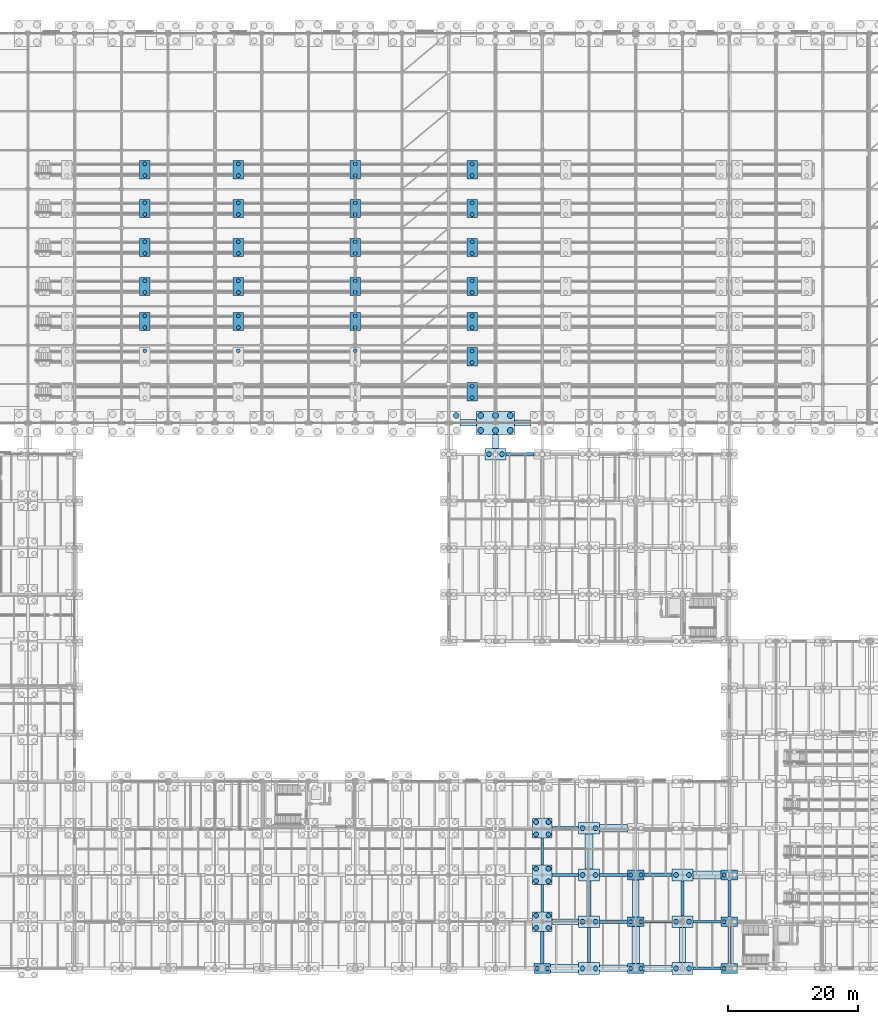
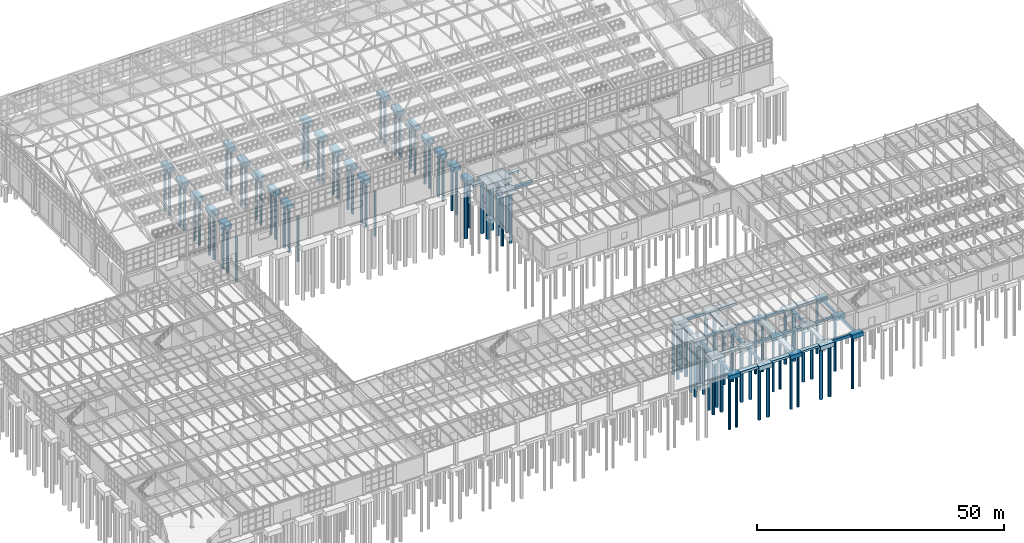
# One storey, part 9 of 293: 93 piles, 71 footings.
"""IFC4 building model written with IfcOpenShell, lengths in metres."""

from ifc_helpers import new_model, si_unit, direction, frame, origin, origin_2d, place, context, subcontext, project, spatial, rectangle, circle, extrude, material, material_profile, profile_set, type_object, element, save


model = new_model("IFC4")

# Units and contexts
model_context = context("Model", 3, precision=1e-05, world=origin(), true_north=direction((0.0, 1.0)))
body_context = subcontext(model_context, "Body", "Model", "MODEL_VIEW")
ifc_project = project(units=[si_unit("LENGTHUNIT", "METRE"), si_unit("AREAUNIT", "SQUARE_METRE"), si_unit("VOLUMEUNIT", "CUBIC_METRE"), si_unit("PLANEANGLEUNIT", "RADIAN"), si_unit("MASSUNIT", "GRAM", prefix="KILO")], contexts=[model_context])

# Site, building, storey
site_placement = place(None, origin())
site = spatial("IfcSite", under=ifc_project, at=site_placement, CompositionType="ELEMENT")
building_placement = place(site_placement, origin())
building = spatial("IfcBuilding", under=site, at=building_placement, Name="Kemerveld Promenade Tramway Depot", CompositionType="ELEMENT")
storey_placement = place(building_placement, origin())
storey = spatial("IfcBuildingStorey", under=building, at=storey_placement, Name="L00", CompositionType="ELEMENT", Elevation=0.0)

# Footings
ifc_material = material(Name="Concrete C35/45", Category="concrete")
footing_type_1 = type_object("IfcFootingType", Name="FT-GB01", PredefinedType="FOOTING_BEAM", material=ifc_material)
for number, where, z_axis, x_axis, name in (
    (1, (154.949951171875, 0.0, -0.949951171875), (0.0, 0.0, 1.0), (1.0, 0.0, 0.0), "GBX-22-23-A"),
    (2, (140.550048828125, 7.199951171875, -0.949951171875), (0.0, 0.0, 1.0), (1.0, 0.0, 0.0), "GBX-20-21-B"),
):
    element("IfcFooting", number, at=place(storey_placement, frame(where, z_axis=z_axis, x_axis=x_axis)), inside=storey, type_object=footing_type_1, Name=name, PredefinedType="FOOTING_BEAM", context=body_context, shape_type="SweptSolid", body=[
        extrude(rectangle(XDim=4.300048828125, YDim=0.5, at=origin_2d()), origin(), (0.0, 0.0, 1.0), 0.64990234375),
    ])
footing_1_placement = place(storey_placement, frame((129.60009765625, 3.22509765625, -0.949951171875), z_axis=(0.0, 0.0, 1.0), x_axis=(0.0, 1.0, 0.0)))
element("IfcFooting", 3, at=footing_1_placement, inside=storey, type_object=footing_type_1, Name="GBY-19-A-B", PredefinedType="FOOTING_BEAM", context=body_context, shape_type="SweptSolid", body=[
    extrude(rectangle(XDim=4.949951171875, YDim=0.5, at=origin_2d()), origin(), (0.0, 0.0, 1.0), 0.64990234375),
])
footing_2_placement = place(storey_placement, frame((151.199951171875, 10.800048828125, -0.949951171875), z_axis=(0.0, 0.0, 1.0), x_axis=(0.0, 1.0, 0.0)))
element("IfcFooting", 4, at=footing_2_placement, inside=storey, type_object=footing_type_1, Name="GBY-22-B-C", PredefinedType="FOOTING_BEAM", context=body_context, shape_type="SweptSolid", body=[
    extrude(rectangle(XDim=5.39990234375, YDim=0.5, at=origin_2d()), origin(), (0.0, 0.0, 1.0), 0.64990234375),
])
footing_type_2 = type_object("IfcFootingType", Name="FT-GB02", PredefinedType="FOOTING_BEAM", material=ifc_material)
footing_3_placement = place(storey_placement, frame((147.449951171875, 7.199951171875, -0.900146484375), z_axis=(0.0, 0.0, 1.0), x_axis=(1.0, 0.0, 0.0)))
element("IfcFooting", 5, at=footing_3_placement, inside=storey, type_object=footing_type_2, Name="GBX-21-22-B", PredefinedType="FOOTING_BEAM", context=body_context, shape_type="SweptSolid", body=[
    extrude(rectangle(XDim=4.300048828125, YDim=0.449951171875, at=origin_2d()), origin(), (0.0, 0.0, 1.0), 0.60009765625),
])
footing_4_placement = place(storey_placement, frame((133.14990234375, 14.39990234375, -0.900146484375), z_axis=(0.0, 0.0, 1.0), x_axis=(1.0, 0.0, 0.0)))
element("IfcFooting", 6, at=footing_4_placement, inside=storey, type_object=footing_type_2, Name="GBX-19-20-C", PredefinedType="FOOTING_BEAM", context=body_context, shape_type="SweptSolid", body=[
    extrude(rectangle(XDim=4.10009765625, YDim=0.449951171875, at=origin_2d()), origin(), (0.0, 0.0, 1.0), 0.60009765625),
])
footing_5_placement = place(storey_placement, frame((129.60009765625, 10.800048828125, -0.900146484375), z_axis=(0.0, 0.0, 1.0), x_axis=(0.0, 1.0, 0.0)))
element("IfcFooting", 7, at=footing_5_placement, inside=storey, type_object=footing_type_2, Name="GBY-19-B-C", PredefinedType="FOOTING_BEAM", context=body_context, shape_type="SweptSolid", body=[
    extrude(rectangle(XDim=4.199951171875, YDim=0.449951171875, at=origin_2d()), origin(), (0.0, 0.0, 1.0), 0.60009765625),
])
footing_6_placement = place(storey_placement, frame((158.39990234375, 3.60009765625, -0.900146484375), z_axis=(0.0, 0.0, 1.0), x_axis=(0.0, 1.0, 0.0)))
element("IfcFooting", 8, at=footing_6_placement, inside=storey, type_object=footing_type_2, Name="GBY-23-A-B", PredefinedType="FOOTING_BEAM", context=body_context, shape_type="SweptSolid", body=[
    extrude(rectangle(XDim=5.699951171875, YDim=0.449951171875, at=origin_2d()), origin(), (0.0, 0.0, 1.0), 0.60009765625),
])
footing_type_3 = type_object("IfcFootingType", Name="FT-GB03", PredefinedType="FOOTING_BEAM", material=ifc_material)
for number, where, z_axis, x_axis, name in (
    (9, (154.949951171875, 7.199951171875, -0.85009765625), (0.0, 0.0, 1.0), (1.0, 0.0, 0.0), "GBX-22-23-B"),
    (10, (140.550048828125, 14.39990234375, -0.85009765625), (0.0, 0.0, 1.0), (1.0, 0.0, 0.0), "GBX-20-21-C"),
):
    element("IfcFooting", number, at=place(storey_placement, frame(where, z_axis=z_axis, x_axis=x_axis)), inside=storey, type_object=footing_type_3, Name=name, PredefinedType="FOOTING_BEAM", context=body_context, shape_type="SweptSolid", body=[
        extrude(rectangle(XDim=4.300048828125, YDim=0.39990234375, at=origin_2d()), origin(), (0.0, 0.0, 1.0), 0.550048828125),
    ])
footing_7_placement = place(storey_placement, frame((129.60009765625, 18.0, -0.85009765625), z_axis=(0.0, 0.0, 1.0), x_axis=(0.0, 1.0, 0.0)))
element("IfcFooting", 11, at=footing_7_placement, inside=storey, type_object=footing_type_3, Name="GBY-19-C-D", PredefinedType="FOOTING_BEAM", context=body_context, shape_type="SweptSolid", body=[
    extrude(rectangle(XDim=4.199951171875, YDim=0.39990234375, at=origin_2d()), origin(), (0.0, 0.0, 1.0), 0.550048828125),
])
footing_8_placement = place(storey_placement, frame((136.800048828125, 3.60009765625, -0.85009765625), z_axis=(0.0, 0.0, 1.0), x_axis=(0.0, 1.0, 0.0)))
element("IfcFooting", 12, at=footing_8_placement, inside=storey, type_object=footing_type_3, Name="GBY-20-A-B", PredefinedType="FOOTING_BEAM", context=body_context, shape_type="SweptSolid", body=[
    extrude(rectangle(XDim=5.39990234375, YDim=0.39990234375, at=origin_2d()), origin(), (0.0, 0.0, 1.0), 0.550048828125),
])
footing_9_placement = place(storey_placement, frame((158.39990234375, 10.800048828125, -0.85009765625), z_axis=(0.0, 0.0, 1.0), x_axis=(0.0, 1.0, 0.0)))
element("IfcFooting", 13, at=footing_9_placement, inside=storey, type_object=footing_type_3, Name="GBY-23-B-C", PredefinedType="FOOTING_BEAM", context=body_context, shape_type="SweptSolid", body=[
    extrude(rectangle(XDim=5.699951171875, YDim=0.39990234375, at=origin_2d()), origin(), (0.0, 0.0, 1.0), 0.550048828125),
])
footing_type_4 = type_object("IfcFootingType", Name="FT-GB04", PredefinedType="FOOTING_BEAM", material=ifc_material)
footing_10_placement = place(storey_placement, frame((147.449951171875, 14.39990234375, -1.0), z_axis=(0.0, 0.0, 1.0), x_axis=(1.0, 0.0, 0.0)))
element("IfcFooting", 14, at=footing_10_placement, inside=storey, type_object=footing_type_4, Name="GBX-21-22-C", PredefinedType="FOOTING_BEAM", context=body_context, shape_type="SweptSolid", body=[
    extrude(rectangle(XDim=4.300048828125, YDim=0.550048828125, at=origin_2d()), origin(), (0.0, 0.0, 1.0), 0.699951171875),
])
footing_11_placement = place(storey_placement, frame((133.14990234375, 21.60009765625, -1.0), z_axis=(0.0, 0.0, 1.0), x_axis=(1.0, 0.0, 0.0)))
element("IfcFooting", 15, at=footing_11_placement, inside=storey, type_object=footing_type_4, Name="GBX-19-20-D", PredefinedType="FOOTING_BEAM", context=body_context, shape_type="SweptSolid", body=[
    extrude(rectangle(XDim=4.10009765625, YDim=0.550048828125, at=origin_2d()), origin(), (0.0, 0.0, 1.0), 0.699951171875),
])
footing_12_placement = place(storey_placement, frame((126.14990234375, 79.199951171875, -1.0), z_axis=(0.0, 0.0, 1.0), x_axis=(1.0, 0.0, 0.0)))
element("IfcFooting", 16, at=footing_12_placement, inside=storey, type_object=footing_type_4, Name="GBX-18-19-M", PredefinedType="FOOTING_BEAM", context=body_context, shape_type="SweptSolid", body=[
    extrude(rectangle(XDim=4.300048828125, YDim=0.550048828125, at=origin_2d()), origin(), (0.0, 0.0, 1.0), 0.699951171875),
])
footing_13_placement = place(storey_placement, frame((136.800048828125, 10.800048828125, -1.0), z_axis=(0.0, 0.0, 1.0), x_axis=(0.0, 1.0, 0.0)))
element("IfcFooting", 17, at=footing_13_placement, inside=storey, type_object=footing_type_4, Name="GBY-20-B-C", PredefinedType="FOOTING_BEAM", context=body_context, shape_type="SweptSolid", body=[
    extrude(rectangle(XDim=5.39990234375, YDim=0.550048828125, at=origin_2d()), origin(), (0.0, 0.0, 1.0), 0.699951171875),
])
footing_type_5 = type_object("IfcFootingType", Name="FT-PC05", PredefinedType="PILE_CAP", material=ifc_material)
for number, where, z_axis, x_axis, name in (
    (18, (129.60009765625, 7.199951171875, -1.400146484375), (0.0, 0.0, 1.0), (1.0, 0.0, 0.0), "FT-19-B"),
    (19, (129.60009765625, 14.39990234375, -1.400146484375), (0.0, 0.0, 1.0), (1.0, 0.0, 0.0), "FT-19-C"),
    (20, (129.60009765625, 21.60009765625, -1.400146484375), (0.0, 0.0, 1.0), (1.0, 0.0, 0.0), "FT-19-D"),
):
    element("IfcFooting", number, at=place(storey_placement, frame(where, z_axis=z_axis, x_axis=x_axis)), inside=storey, type_object=footing_type_5, Name=name, PredefinedType="PILE_CAP", context=body_context, shape_type="SweptSolid", body=[
        extrude(rectangle(XDim=3.0, YDim=3.0, at=origin_2d()), origin(), (0.0, 0.0, 1.0), 1.10009765625),
    ])
footing_type_6 = type_object("IfcFootingType", Name="FT-PC06", PredefinedType="PILE_CAP", material=ifc_material)
for number, where, z_axis, x_axis, name in (
    (21, (122.39990234375, 79.199951171875, -1.400146484375), (0.0, 0.0, 1.0), (1.0, 0.0, 0.0), "FT-18-M"),
    (22, (136.800048828125, 0.0, -1.400146484375), (0.0, 0.0, 1.0), (1.0, 0.0, 0.0), "FT-20-A"),
    (23, (136.800048828125, 7.199951171875, -1.400146484375), (0.0, 0.0, 1.0), (1.0, 0.0, 0.0), "FT-20-B"),
    (24, (136.800048828125, 14.39990234375, -1.400146484375), (0.0, 0.0, 1.0), (1.0, 0.0, 0.0), "FT-20-C"),
    (25, (136.800048828125, 21.60009765625, -1.400146484375), (0.0, 0.0, 1.0), (1.0, 0.0, 0.0), "FT-20-D"),
    (26, (151.199951171875, 0.0, -1.400146484375), (0.0, 0.0, 1.0), (1.0, 0.0, 0.0), "FT-22-A"),
    (27, (151.199951171875, 7.199951171875, -1.400146484375), (0.0, 0.0, 1.0), (1.0, 0.0, 0.0), "FT-22-B"),
    (28, (151.199951171875, 14.39990234375, -1.400146484375), (0.0, 0.0, 1.0), (1.0, 0.0, 0.0), "FT-22-C"),
):
    element("IfcFooting", number, at=place(storey_placement, frame(where, z_axis=z_axis, x_axis=x_axis)), inside=storey, type_object=footing_type_6, Name=name, PredefinedType="PILE_CAP", context=body_context, shape_type="SweptSolid", body=[
        extrude(rectangle(XDim=3.199951171875, YDim=1.800048828125, at=origin_2d()), origin(), (0.0, 0.0, 1.0), 1.10009765625),
    ])
footing_type_7 = type_object("IfcFootingType", Name="FT-PC07", PredefinedType="PILE_CAP", material=ifc_material)
for number, where, z_axis, x_axis, name in (
    (29, (118.800048828125, 88.800048828125, -3.0), (0.0, 0.0, 1.0), (1.0, 0.0, 0.0), "FT-PIT-01-06"),
    (30, (118.800048828125, 94.199951171875, -3.0), (0.0, 0.0, 1.0), (1.0, 0.0, 0.0), "FT-PIT-02-06"),
    (31, (68.39990234375, 99.60009765625, -3.0), (0.0, 0.0, 1.0), (1.0, 0.0, 0.0), "FT-PIT-03-03"),
    (32, (82.800048828125, 99.60009765625, -3.0), (0.0, 0.0, 1.0), (1.0, 0.0, 0.0), "FT-PIT-03-04"),
    (33, (100.800048828125, 99.60009765625, -3.0), (0.0, 0.0, 1.0), (1.0, 0.0, 0.0), "FT-PIT-03-05"),
    (34, (118.800048828125, 99.60009765625, -3.0), (0.0, 0.0, 1.0), (1.0, 0.0, 0.0), "FT-PIT-03-06"),
    (35, (68.39990234375, 105.0, -3.0), (0.0, 0.0, 1.0), (1.0, 0.0, 0.0), "FT-PIT-04-03"),
    (36, (82.800048828125, 105.0, -3.0), (0.0, 0.0, 1.0), (1.0, 0.0, 0.0), "FT-PIT-04-04"),
    (37, (100.800048828125, 105.0, -3.0), (0.0, 0.0, 1.0), (1.0, 0.0, 0.0), "FT-PIT-04-05"),
    (38, (118.800048828125, 105.0, -3.0), (0.0, 0.0, 1.0), (1.0, 0.0, 0.0), "FT-PIT-04-06"),
    (39, (68.39990234375, 111.0, -3.0), (0.0, 0.0, 1.0), (1.0, 0.0, 0.0), "FT-PIT-05-03"),
    (40, (82.800048828125, 111.0, -3.0), (0.0, 0.0, 1.0), (1.0, 0.0, 0.0), "FT-PIT-05-04"),
    (41, (100.800048828125, 111.0, -3.0), (0.0, 0.0, 1.0), (1.0, 0.0, 0.0), "FT-PIT-05-05"),
    (42, (118.800048828125, 111.0, -3.0), (0.0, 0.0, 1.0), (1.0, 0.0, 0.0), "FT-PIT-05-06"),
    (43, (68.39990234375, 117.0, -3.0), (0.0, 0.0, 1.0), (1.0, 0.0, 0.0), "FT-PIT-06-03"),
    (44, (82.800048828125, 117.0, -3.0), (0.0, 0.0, 1.0), (1.0, 0.0, 0.0), "FT-PIT-06-04"),
    (45, (100.800048828125, 117.0, -3.0), (0.0, 0.0, 1.0), (1.0, 0.0, 0.0), "FT-PIT-06-05"),
    (46, (118.800048828125, 117.0, -3.0), (0.0, 0.0, 1.0), (1.0, 0.0, 0.0), "FT-PIT-06-06"),
    (47, (68.39990234375, 123.0, -3.0), (0.0, 0.0, 1.0), (1.0, 0.0, 0.0), "FT-PIT-07-03"),
    (48, (82.800048828125, 123.0, -3.0), (0.0, 0.0, 1.0), (1.0, 0.0, 0.0), "FT-PIT-07-04"),
    (49, (100.800048828125, 123.0, -3.0), (0.0, 0.0, 1.0), (1.0, 0.0, 0.0), "FT-PIT-07-05"),
    (50, (118.800048828125, 123.0, -3.0), (0.0, 0.0, 1.0), (1.0, 0.0, 0.0), "FT-PIT-07-06"),
):
    element("IfcFooting", number, at=place(storey_placement, frame(where, z_axis=z_axis, x_axis=x_axis)), inside=storey, type_object=footing_type_7, Name=name, PredefinedType="PILE_CAP", context=body_context, shape_type="SweptSolid", body=[
        extrude(rectangle(XDim=1.60009765625, YDim=2.800048828125, at=origin_2d()), origin(), (0.0, 0.0, 1.0), 1.050048828125),
    ])
footing_type_8 = type_object("IfcFootingType", Name="FT-PC08", PredefinedType="PILE_CAP", material=ifc_material)
for number, where, z_axis, x_axis, name in (
    (51, (129.60009765625, 0.0, -1.300048828125), (0.0, 0.0, 1.0), (1.0, 0.0, 0.0), "FT-19-A"),
    (52, (144.0, 0.0, -1.300048828125), (0.0, 0.0, 1.0), (1.0, 0.0, 0.0), "FT-21-A"),
    (53, (144.0, 7.199951171875, -1.300048828125), (0.0, 0.0, 1.0), (1.0, 0.0, 0.0), "FT-21-B"),
    (54, (144.0, 14.39990234375, -1.300048828125), (0.0, 0.0, 1.0), (1.0, 0.0, 0.0), "FT-21-C"),
    (55, (158.39990234375, 0.0, -1.300048828125), (0.0, 0.0, 1.0), (1.0, 0.0, 0.0), "FT-23-A"),
    (56, (158.39990234375, 7.199951171875, -1.300048828125), (0.0, 0.0, 1.0), (1.0, 0.0, 0.0), "FT-23-B"),
    (57, (158.39990234375, 14.39990234375, -1.300048828125), (0.0, 0.0, 1.0), (1.0, 0.0, 0.0), "FT-23-C"),
):
    element("IfcFooting", number, at=place(storey_placement, frame(where, z_axis=z_axis, x_axis=x_axis)), inside=storey, type_object=footing_type_8, Name=name, PredefinedType="PILE_CAP", context=body_context, shape_type="SweptSolid", body=[
        extrude(rectangle(XDim=2.60009765625, YDim=1.5, at=origin_2d()), origin(), (0.0, 0.0, 1.0), 1.0),
    ])
footing_type_9 = type_object("IfcFootingType", Name="FT-PC09", PredefinedType="PILE_CAP", material=ifc_material)
footing_14_placement = place(storey_placement, frame((122.39990234375, 84.0, -1.650146484375), z_axis=(0.0, 0.0, 1.0), x_axis=(1.0, 0.0, 0.0)))
element("IfcFooting", 58, at=footing_14_placement, inside=storey, type_object=footing_type_9, Name="FT-18-N", PredefinedType="PILE_CAP", context=body_context, shape_type="SweptSolid", body=[
    extrude(rectangle(XDim=5.85009765625, YDim=3.60009765625, at=origin_2d()), origin(), (0.0, 0.0, 1.0), 1.35009765625),
])
footing_type_10 = type_object("IfcFootingType", Name="FT-SF01", PredefinedType="STRIP_FOOTING", material=ifc_material)
for number, where, z_axis, x_axis, name in (
    (59, (133.050048828125, 0.0, -0.900146484375), (0.0, 0.0, 1.0), (1.0, 0.0, 0.0), "GBX-19-20-A"),
    (60, (154.949951171875, 14.39990234375, -0.900146484375), (0.0, 0.0, 1.0), (1.0, 0.0, 0.0), "GBX-22-23-C"),
    (61, (140.550048828125, 21.60009765625, -0.900146484375), (0.0, 0.0, 1.0), (1.0, 0.0, 0.0), "GBX-20-21-D"),
):
    element("IfcFooting", number, at=place(storey_placement, frame(where, z_axis=z_axis, x_axis=x_axis)), inside=storey, type_object=footing_type_10, Name=name, PredefinedType="STRIP_FOOTING", context=body_context, shape_type="SweptSolid", body=[
        extrude(rectangle(XDim=4.300048828125, YDim=1.199951171875, at=origin_2d()), origin(), (0.0, 0.0, 1.0), 0.60009765625),
    ])
footing_15_placement = place(storey_placement, frame((136.800048828125, 18.0, -0.900146484375), z_axis=(0.0, 0.0, 1.0), x_axis=(0.0, 1.0, 0.0)))
element("IfcFooting", 62, at=footing_15_placement, inside=storey, type_object=footing_type_10, Name="GBY-20-C-D", PredefinedType="STRIP_FOOTING", context=body_context, shape_type="SweptSolid", body=[
    extrude(rectangle(XDim=5.39990234375, YDim=1.199951171875, at=origin_2d()), origin(), (0.0, 0.0, 1.0), 0.60009765625),
])
footing_16_placement = place(storey_placement, frame((144.0, 3.60009765625, -0.900146484375), z_axis=(0.0, 0.0, 1.0), x_axis=(0.0, 1.0, 0.0)))
element("IfcFooting", 63, at=footing_16_placement, inside=storey, type_object=footing_type_10, Name="GBY-21-A-B", PredefinedType="STRIP_FOOTING", context=body_context, shape_type="SweptSolid", body=[
    extrude(rectangle(XDim=5.699951171875, YDim=1.199951171875, at=origin_2d()), origin(), (0.0, 0.0, 1.0), 0.60009765625),
])
footing_type_11 = type_object("IfcFootingType", Name="FT-SF02", PredefinedType="STRIP_FOOTING", material=ifc_material)
footing_17_placement = place(storey_placement, frame((140.550048828125, 0.0, -0.85009765625), z_axis=(0.0, 0.0, 1.0), x_axis=(1.0, 0.0, 0.0)))
element("IfcFooting", 64, at=footing_17_placement, inside=storey, type_object=footing_type_11, Name="GBX-20-21-A", PredefinedType="STRIP_FOOTING", context=body_context, shape_type="SweptSolid", body=[
    extrude(rectangle(XDim=4.300048828125, YDim=1.0, at=origin_2d()), origin(), (0.0, 0.0, 1.0), 0.550048828125),
])
footing_18_placement = place(storey_placement, frame((118.237548828125, 84.0, -0.85009765625), z_axis=(0.0, 0.0, 1.0), x_axis=(1.0, 0.0, 0.0)))
element("IfcFooting", 65, at=footing_18_placement, inside=storey, type_object=footing_type_11, Name="GBX-17-18-N", PredefinedType="STRIP_FOOTING", context=body_context, shape_type="SweptSolid", body=[
    extrude(rectangle(XDim=2.47509765625, YDim=1.0, at=origin_2d()), origin(), (0.0, 0.0, 1.0), 0.550048828125),
])
footing_19_placement = place(storey_placement, frame((144.0, 10.800048828125, -0.85009765625), z_axis=(0.0, 0.0, 1.0), x_axis=(0.0, 1.0, 0.0)))
element("IfcFooting", 66, at=footing_19_placement, inside=storey, type_object=footing_type_11, Name="GBY-21-B-C", PredefinedType="STRIP_FOOTING", context=body_context, shape_type="SweptSolid", body=[
    extrude(rectangle(XDim=5.699951171875, YDim=1.0, at=origin_2d()), origin(), (0.0, 0.0, 1.0), 0.550048828125),
])
footing_type_12 = type_object("IfcFootingType", Name="FT-SF03", PredefinedType="STRIP_FOOTING", material=ifc_material)
footing_20_placement = place(storey_placement, frame((147.449951171875, 0.0, -0.800048828125), z_axis=(0.0, 0.0, 1.0), x_axis=(1.0, 0.0, 0.0)))
element("IfcFooting", 67, at=footing_20_placement, inside=storey, type_object=footing_type_12, Name="GBX-21-22-A", PredefinedType="STRIP_FOOTING", context=body_context, shape_type="SweptSolid", body=[
    extrude(rectangle(XDim=4.300048828125, YDim=0.89990234375, at=origin_2d()), origin(), (0.0, 0.0, 1.0), 0.5),
])
footing_21_placement = place(storey_placement, frame((133.14990234375, 7.199951171875, -0.800048828125), z_axis=(0.0, 0.0, 1.0), x_axis=(1.0, 0.0, 0.0)))
element("IfcFooting", 68, at=footing_21_placement, inside=storey, type_object=footing_type_12, Name="GBX-19-20-B", PredefinedType="STRIP_FOOTING", context=body_context, shape_type="SweptSolid", body=[
    extrude(rectangle(XDim=4.10009765625, YDim=0.89990234375, at=origin_2d()), origin(), (0.0, 0.0, 1.0), 0.5),
])
footing_22_placement = place(storey_placement, frame((126.5625, 84.0, -0.800048828125), z_axis=(0.0, 0.0, 1.0), x_axis=(1.0, 0.0, 0.0)))
element("IfcFooting", 69, at=footing_22_placement, inside=storey, type_object=footing_type_12, Name="GBX-18-19-N", PredefinedType="STRIP_FOOTING", context=body_context, shape_type="SweptSolid", body=[
    extrude(rectangle(XDim=2.47509765625, YDim=0.89990234375, at=origin_2d()), origin(), (0.0, 0.0, 1.0), 0.5),
])
footing_23_placement = place(storey_placement, frame((122.39990234375, 81.14990234375, -0.800048828125), z_axis=(0.0, 0.0, 1.0), x_axis=(0.0, 1.0, 0.0)))
element("IfcFooting", 70, at=footing_23_placement, inside=storey, type_object=footing_type_12, Name="GBY-18-M-N", PredefinedType="STRIP_FOOTING", context=body_context, shape_type="SweptSolid", body=[
    extrude(rectangle(XDim=2.10009765625, YDim=0.89990234375, at=origin_2d()), origin(), (0.0, 0.0, 1.0), 0.5),
])
footing_24_placement = place(storey_placement, frame((151.199951171875, 3.60009765625, -0.800048828125), z_axis=(0.0, 0.0, 1.0), x_axis=(0.0, 1.0, 0.0)))
element("IfcFooting", 71, at=footing_24_placement, inside=storey, type_object=footing_type_12, Name="GBY-22-A-B", PredefinedType="STRIP_FOOTING", context=body_context, shape_type="SweptSolid", body=[
    extrude(rectangle(XDim=5.39990234375, YDim=0.89990234375, at=origin_2d()), origin(), (0.0, 0.0, 1.0), 0.5),
])

# Piles
ifc_material_profile_1 = material_profile(ifc_material, circle(Radius=0.300048828125, at=origin_2d()), Name="PILE-D600")
ifc_profile_set_1 = profile_set([ifc_material_profile_1], Name="Concrete C35/45")
pile_type_1 = type_object("IfcPileType", Name="PL-BOR-600", PredefinedType="BORED", material=ifc_profile_set_1)
for number, where, z_axis, x_axis, name in (
    (72, (118.800048828125, 87.89990234375, -2.89990234375), (0.0, 0.0, -1.0), (1.0, 0.0, 0.0), "PIL-PIT-01-06-1"),
    (73, (118.800048828125, 89.699951171875, -2.89990234375), (0.0, 0.0, -1.0), (1.0, 0.0, 0.0), "PIL-PIT-01-06-2"),
    (74, (68.39990234375, 95.10009765625, -2.89990234375), (0.0, 0.0, -1.0), (1.0, 0.0, 0.0), "PIL-PIT-02-03-2"),
    (75, (82.800048828125, 95.10009765625, -2.89990234375), (0.0, 0.0, -1.0), (1.0, 0.0, 0.0), "PIL-PIT-02-04-2"),
    (76, (100.800048828125, 95.10009765625, -2.89990234375), (0.0, 0.0, -1.0), (1.0, 0.0, 0.0), "PIL-PIT-02-05-2"),
    (77, (118.800048828125, 93.300048828125, -2.89990234375), (0.0, 0.0, -1.0), (1.0, 0.0, 0.0), "PIL-PIT-02-06-1"),
    (78, (118.800048828125, 95.10009765625, -2.89990234375), (0.0, 0.0, -1.0), (1.0, 0.0, 0.0), "PIL-PIT-02-06-2"),
    (79, (68.39990234375, 98.699951171875, -2.89990234375), (0.0, 0.0, -1.0), (1.0, 0.0, 0.0), "PIL-PIT-03-03-1"),
    (80, (68.39990234375, 100.5, -2.89990234375), (0.0, 0.0, -1.0), (1.0, 0.0, 0.0), "PIL-PIT-03-03-2"),
    (81, (82.800048828125, 98.699951171875, -2.89990234375), (0.0, 0.0, -1.0), (1.0, 0.0, 0.0), "PIL-PIT-03-04-1"),
    (82, (82.800048828125, 100.5, -2.89990234375), (0.0, 0.0, -1.0), (1.0, 0.0, 0.0), "PIL-PIT-03-04-2"),
    (83, (100.800048828125, 98.699951171875, -2.89990234375), (0.0, 0.0, -1.0), (1.0, 0.0, 0.0), "PIL-PIT-03-05-1"),
    (84, (100.800048828125, 100.5, -2.89990234375), (0.0, 0.0, -1.0), (1.0, 0.0, 0.0), "PIL-PIT-03-05-2"),
    (85, (118.800048828125, 98.699951171875, -2.89990234375), (0.0, 0.0, -1.0), (1.0, 0.0, 0.0), "PIL-PIT-03-06-1"),
    (86, (118.800048828125, 100.5, -2.89990234375), (0.0, 0.0, -1.0), (1.0, 0.0, 0.0), "PIL-PIT-03-06-2"),
    (87, (68.39990234375, 104.10009765625, -2.89990234375), (0.0, 0.0, -1.0), (1.0, 0.0, 0.0), "PIL-PIT-04-03-1"),
    (88, (68.39990234375, 105.89990234375, -2.89990234375), (0.0, 0.0, -1.0), (1.0, 0.0, 0.0), "PIL-PIT-04-03-2"),
    (89, (82.800048828125, 104.10009765625, -2.89990234375), (0.0, 0.0, -1.0), (1.0, 0.0, 0.0), "PIL-PIT-04-04-1"),
    (90, (82.800048828125, 105.89990234375, -2.89990234375), (0.0, 0.0, -1.0), (1.0, 0.0, 0.0), "PIL-PIT-04-04-2"),
    (91, (100.800048828125, 104.10009765625, -2.89990234375), (0.0, 0.0, -1.0), (1.0, 0.0, 0.0), "PIL-PIT-04-05-1"),
    (92, (100.800048828125, 105.89990234375, -2.89990234375), (0.0, 0.0, -1.0), (1.0, 0.0, 0.0), "PIL-PIT-04-05-2"),
    (93, (118.800048828125, 104.10009765625, -2.89990234375), (0.0, 0.0, -1.0), (1.0, 0.0, 0.0), "PIL-PIT-04-06-1"),
    (94, (118.800048828125, 105.89990234375, -2.89990234375), (0.0, 0.0, -1.0), (1.0, 0.0, 0.0), "PIL-PIT-04-06-2"),
    (95, (68.39990234375, 110.10009765625, -2.89990234375), (0.0, 0.0, -1.0), (1.0, 0.0, 0.0), "PIL-PIT-05-03-1"),
    (96, (68.39990234375, 111.89990234375, -2.89990234375), (0.0, 0.0, -1.0), (1.0, 0.0, 0.0), "PIL-PIT-05-03-2"),
    (97, (82.800048828125, 110.10009765625, -2.89990234375), (0.0, 0.0, -1.0), (1.0, 0.0, 0.0), "PIL-PIT-05-04-1"),
    (98, (82.800048828125, 111.89990234375, -2.89990234375), (0.0, 0.0, -1.0), (1.0, 0.0, 0.0), "PIL-PIT-05-04-2"),
    (99, (100.800048828125, 110.10009765625, -2.89990234375), (0.0, 0.0, -1.0), (1.0, 0.0, 0.0), "PIL-PIT-05-05-1"),
    (100, (100.800048828125, 111.89990234375, -2.89990234375), (0.0, 0.0, -1.0), (1.0, 0.0, 0.0), "PIL-PIT-05-05-2"),
    (101, (118.800048828125, 110.10009765625, -2.89990234375), (0.0, 0.0, -1.0), (1.0, 0.0, 0.0), "PIL-PIT-05-06-1"),
    (102, (118.800048828125, 111.89990234375, -2.89990234375), (0.0, 0.0, -1.0), (1.0, 0.0, 0.0), "PIL-PIT-05-06-2"),
    (103, (68.39990234375, 116.10009765625, -2.89990234375), (0.0, 0.0, -1.0), (1.0, 0.0, 0.0), "PIL-PIT-06-03-1"),
    (104, (68.39990234375, 117.89990234375, -2.89990234375), (0.0, 0.0, -1.0), (1.0, 0.0, 0.0), "PIL-PIT-06-03-2"),
    (105, (82.800048828125, 116.10009765625, -2.89990234375), (0.0, 0.0, -1.0), (1.0, 0.0, 0.0), "PIL-PIT-06-04-1"),
    (106, (82.800048828125, 117.89990234375, -2.89990234375), (0.0, 0.0, -1.0), (1.0, 0.0, 0.0), "PIL-PIT-06-04-2"),
    (107, (100.800048828125, 116.10009765625, -2.89990234375), (0.0, 0.0, -1.0), (1.0, 0.0, 0.0), "PIL-PIT-06-05-1"),
    (108, (100.800048828125, 117.89990234375, -2.89990234375), (0.0, 0.0, -1.0), (1.0, 0.0, 0.0), "PIL-PIT-06-05-2"),
    (109, (118.800048828125, 116.10009765625, -2.89990234375), (0.0, 0.0, -1.0), (1.0, 0.0, 0.0), "PIL-PIT-06-06-1"),
    (110, (118.800048828125, 117.89990234375, -2.89990234375), (0.0, 0.0, -1.0), (1.0, 0.0, 0.0), "PIL-PIT-06-06-2"),
    (111, (68.39990234375, 122.10009765625, -2.89990234375), (0.0, 0.0, -1.0), (1.0, 0.0, 0.0), "PIL-PIT-07-03-1"),
    (112, (68.39990234375, 123.89990234375, -2.89990234375), (0.0, 0.0, -1.0), (1.0, 0.0, 0.0), "PIL-PIT-07-03-2"),
    (113, (82.800048828125, 122.10009765625, -2.89990234375), (0.0, 0.0, -1.0), (1.0, 0.0, 0.0), "PIL-PIT-07-04-1"),
    (114, (82.800048828125, 123.89990234375, -2.89990234375), (0.0, 0.0, -1.0), (1.0, 0.0, 0.0), "PIL-PIT-07-04-2"),
    (115, (100.800048828125, 122.10009765625, -2.89990234375), (0.0, 0.0, -1.0), (1.0, 0.0, 0.0), "PIL-PIT-07-05-1"),
    (116, (100.800048828125, 123.89990234375, -2.89990234375), (0.0, 0.0, -1.0), (1.0, 0.0, 0.0), "PIL-PIT-07-05-2"),
    (117, (118.800048828125, 122.10009765625, -2.89990234375), (0.0, 0.0, -1.0), (1.0, 0.0, 0.0), "PIL-PIT-07-06-1"),
    (118, (118.800048828125, 123.89990234375, -2.89990234375), (0.0, 0.0, -1.0), (1.0, 0.0, 0.0), "PIL-PIT-07-06-2"),
):
    element("IfcPile", number, at=place(storey_placement, frame(where, z_axis=z_axis, x_axis=x_axis)), inside=storey, type_object=pile_type_1, Name=name, PredefinedType="BORED", context=body_context, shape_type="SweptSolid", body=[
        extrude(circle(Radius=0.300048828125, at=origin_2d()), origin(), (0.0, 0.0, 1.0), 11.10009765625),
    ])
for number, where, z_axis, x_axis, name in (
    (119, (128.800048828125, 0.0, -1.199951171875), (0.0, 0.0, -1.0), (1.0, 0.0, 0.0), "PIL-19-A-1"),
    (120, (130.39990234375, 0.0, -1.199951171875), (0.0, 0.0, -1.0), (1.0, 0.0, 0.0), "PIL-19-A-2"),
    (121, (143.199951171875, 0.0, -1.199951171875), (0.0, 0.0, -1.0), (1.0, 0.0, 0.0), "PIL-21-A-1"),
    (122, (144.800048828125, 0.0, -1.199951171875), (0.0, 0.0, -1.0), (1.0, 0.0, 0.0), "PIL-21-A-2"),
    (123, (143.199951171875, 7.199951171875, -1.199951171875), (0.0, 0.0, -1.0), (1.0, 0.0, 0.0), "PIL-21-B-1"),
    (124, (144.800048828125, 7.199951171875, -1.199951171875), (0.0, 0.0, -1.0), (1.0, 0.0, 0.0), "PIL-21-B-2"),
    (125, (143.199951171875, 14.39990234375, -1.199951171875), (0.0, 0.0, -1.0), (1.0, 0.0, 0.0), "PIL-21-C-1"),
    (126, (144.800048828125, 14.39990234375, -1.199951171875), (0.0, 0.0, -1.0), (1.0, 0.0, 0.0), "PIL-21-C-2"),
    (127, (157.60009765625, 0.0, -1.199951171875), (0.0, 0.0, -1.0), (1.0, 0.0, 0.0), "PIL-23-A-1"),
    (128, (157.60009765625, 7.199951171875, -1.199951171875), (0.0, 0.0, -1.0), (1.0, 0.0, 0.0), "PIL-23-B-1"),
    (129, (157.60009765625, 14.39990234375, -1.199951171875), (0.0, 0.0, -1.0), (1.0, 0.0, 0.0), "PIL-23-C-1"),
):
    element("IfcPile", number, at=place(storey_placement, frame(where, z_axis=z_axis, x_axis=x_axis)), inside=storey, type_object=pile_type_1, Name=name, PredefinedType="BORED", context=body_context, shape_type="SweptSolid", body=[
        extrude(circle(Radius=0.300048828125, at=origin_2d()), origin(), (0.0, 0.0, 1.0), 12.800048828125),
    ])
ifc_material_profile_2 = material_profile(ifc_material, circle(Radius=0.375, at=origin_2d()), Name="PILE-D750")
ifc_profile_set_2 = profile_set([ifc_material_profile_2], Name="Concrete C35/45")
pile_type_2 = type_object("IfcPileType", Name="PL-BOR-750", PredefinedType="BORED", material=ifc_profile_set_2)
for number, where, z_axis, x_axis, name in (
    (130, (121.39990234375, 79.199951171875, -1.300048828125), (0.0, 0.0, -1.0), (1.0, 0.0, 0.0), "PIL-18-M-1"),
    (131, (123.39990234375, 79.199951171875, -1.300048828125), (0.0, 0.0, -1.0), (1.0, 0.0, 0.0), "PIL-18-M-2"),
    (132, (128.64990234375, 6.25, -1.300048828125), (0.0, 0.0, -1.0), (1.0, 0.0, 0.0), "PIL-19-B-1"),
    (133, (130.550048828125, 6.25, -1.300048828125), (0.0, 0.0, -1.0), (1.0, 0.0, 0.0), "PIL-19-B-2"),
    (134, (128.64990234375, 8.14990234375, -1.300048828125), (0.0, 0.0, -1.0), (1.0, 0.0, 0.0), "PIL-19-B-3"),
    (135, (130.550048828125, 8.14990234375, -1.300048828125), (0.0, 0.0, -1.0), (1.0, 0.0, 0.0), "PIL-19-B-4"),
    (136, (128.64990234375, 13.449951171875, -1.300048828125), (0.0, 0.0, -1.0), (1.0, 0.0, 0.0), "PIL-19-C-1"),
    (137, (130.550048828125, 13.449951171875, -1.300048828125), (0.0, 0.0, -1.0), (1.0, 0.0, 0.0), "PIL-19-C-2"),
    (138, (128.64990234375, 15.35009765625, -1.300048828125), (0.0, 0.0, -1.0), (1.0, 0.0, 0.0), "PIL-19-C-3"),
    (139, (130.550048828125, 15.35009765625, -1.300048828125), (0.0, 0.0, -1.0), (1.0, 0.0, 0.0), "PIL-19-C-4"),
    (140, (128.64990234375, 20.64990234375, -1.300048828125), (0.0, 0.0, -1.0), (1.0, 0.0, 0.0), "PIL-19-D-1"),
    (141, (130.550048828125, 20.64990234375, -1.300048828125), (0.0, 0.0, -1.0), (1.0, 0.0, 0.0), "PIL-19-D-2"),
    (142, (128.64990234375, 22.550048828125, -1.300048828125), (0.0, 0.0, -1.0), (1.0, 0.0, 0.0), "PIL-19-D-3"),
    (143, (130.550048828125, 22.550048828125, -1.300048828125), (0.0, 0.0, -1.0), (1.0, 0.0, 0.0), "PIL-19-D-4"),
    (144, (135.800048828125, 0.0, -1.300048828125), (0.0, 0.0, -1.0), (1.0, 0.0, 0.0), "PIL-20-A-1"),
    (145, (137.800048828125, 0.0, -1.300048828125), (0.0, 0.0, -1.0), (1.0, 0.0, 0.0), "PIL-20-A-2"),
    (146, (135.800048828125, 7.199951171875, -1.300048828125), (0.0, 0.0, -1.0), (1.0, 0.0, 0.0), "PIL-20-B-1"),
    (147, (137.800048828125, 7.199951171875, -1.300048828125), (0.0, 0.0, -1.0), (1.0, 0.0, 0.0), "PIL-20-B-2"),
    (148, (135.800048828125, 14.39990234375, -1.300048828125), (0.0, 0.0, -1.0), (1.0, 0.0, 0.0), "PIL-20-C-1"),
    (149, (137.800048828125, 14.39990234375, -1.300048828125), (0.0, 0.0, -1.0), (1.0, 0.0, 0.0), "PIL-20-C-2"),
    (150, (135.800048828125, 21.60009765625, -1.300048828125), (0.0, 0.0, -1.0), (1.0, 0.0, 0.0), "PIL-20-D-1"),
    (151, (137.800048828125, 21.60009765625, -1.300048828125), (0.0, 0.0, -1.0), (1.0, 0.0, 0.0), "PIL-20-D-2"),
    (152, (150.199951171875, 0.0, -1.300048828125), (0.0, 0.0, -1.0), (1.0, 0.0, 0.0), "PIL-22-A-1"),
    (153, (152.199951171875, 0.0, -1.300048828125), (0.0, 0.0, -1.0), (1.0, 0.0, 0.0), "PIL-22-A-2"),
    (154, (150.199951171875, 7.199951171875, -1.300048828125), (0.0, 0.0, -1.0), (1.0, 0.0, 0.0), "PIL-22-B-1"),
    (155, (152.199951171875, 7.199951171875, -1.300048828125), (0.0, 0.0, -1.0), (1.0, 0.0, 0.0), "PIL-22-B-2"),
    (156, (150.199951171875, 14.39990234375, -1.300048828125), (0.0, 0.0, -1.0), (1.0, 0.0, 0.0), "PIL-22-C-1"),
    (157, (152.199951171875, 14.39990234375, -1.300048828125), (0.0, 0.0, -1.0), (1.0, 0.0, 0.0), "PIL-22-C-2"),
):
    element("IfcPile", number, at=place(storey_placement, frame(where, z_axis=z_axis, x_axis=x_axis)), inside=storey, type_object=pile_type_2, Name=name, PredefinedType="BORED", context=body_context, shape_type="SweptSolid", body=[
        extrude(circle(Radius=0.375, at=origin_2d()), origin(), (0.0, 0.0, 1.0), 12.699951171875),
    ])
ifc_material_profile_3 = material_profile(ifc_material, circle(Radius=0.449951171875, at=origin_2d()), Name="PILE-D900")
ifc_profile_set_3 = profile_set([ifc_material_profile_3], Name="Concrete C35/45")
pile_type_3 = type_object("IfcPileType", Name="PL-BOR-900", PredefinedType="BORED", material=ifc_profile_set_3)
pile_placement = place(storey_placement, frame((116.35009765625, 85.14990234375, -1.449951171875), z_axis=(0.0, 0.0, -1.0), x_axis=(1.0, 0.0, 0.0)))
element("IfcPile", 158, at=pile_placement, inside=storey, type_object=pile_type_3, Name="PIL-17-N-4", PredefinedType="BORED", context=body_context, shape_type="SweptSolid", body=[
    extrude(circle(Radius=0.449951171875, at=origin_2d()), origin(), (0.0, 0.0, 1.0), 12.550048828125),
])
for number, where, z_axis, x_axis, name in (
    (159, (120.1201171875, 82.85009765625, -1.550048828125), (0.0, 0.0, -1.0), (1.0, 0.0, 0.0), "PIL-18-N-1"),
    (160, (122.39990234375, 82.85009765625, -1.550048828125), (0.0, 0.0, -1.0), (1.0, 0.0, 0.0), "PIL-18-N-2"),
    (161, (124.679931640625, 82.85009765625, -1.550048828125), (0.0, 0.0, -1.0), (1.0, 0.0, 0.0), "PIL-18-N-3"),
    (162, (120.1201171875, 85.14990234375, -1.550048828125), (0.0, 0.0, -1.0), (1.0, 0.0, 0.0), "PIL-18-N-4"),
    (163, (122.39990234375, 85.14990234375, -1.550048828125), (0.0, 0.0, -1.0), (1.0, 0.0, 0.0), "PIL-18-N-5"),
    (164, (124.679931640625, 85.14990234375, -1.550048828125), (0.0, 0.0, -1.0), (1.0, 0.0, 0.0), "PIL-18-N-6"),
):
    element("IfcPile", number, at=place(storey_placement, frame(where, z_axis=z_axis, x_axis=x_axis)), inside=storey, type_object=pile_type_3, Name=name, PredefinedType="BORED", context=body_context, shape_type="SweptSolid", body=[
        extrude(circle(Radius=0.449951171875, at=origin_2d()), origin(), (0.0, 0.0, 1.0), 12.449951171875),
    ])

save(model, "model.ifc")
